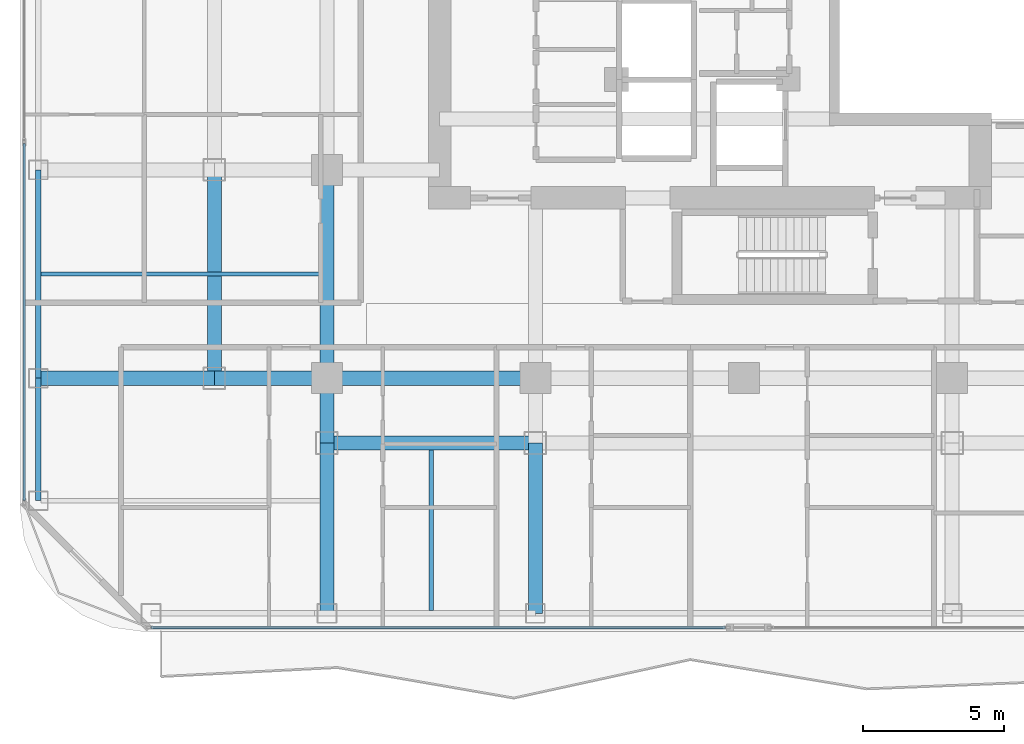
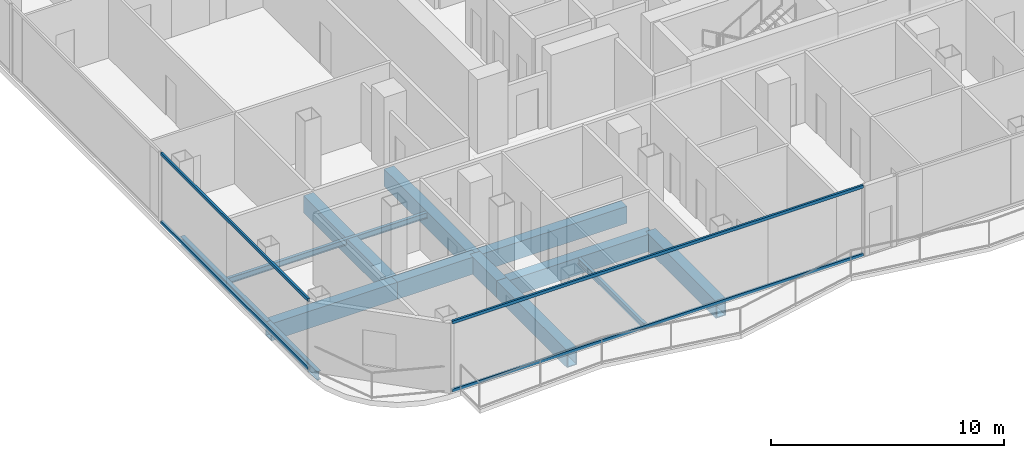
# One storey, part 3 of 27: 13 beams, 4 members, 2 elements without a shape of their own.
"""IFC4 building model written with IfcOpenShell, lengths in metres."""

from ifc_helpers import new_model, si_unit, direction, frame, origin, origin_2d, place, context, subcontext, project, spatial, hollow_rectangle, i_section, extrude, material, layer, layer_set, material_profile, profile_set, type_object, element, aggregate, save


model = new_model("IFC4")

# Units and contexts
model_context = context("Model", 3, precision=1e-05, world=origin(), true_north=direction((0.0, 1.0)))
body_context = subcontext(model_context, "Body", "Model", "MODEL_VIEW")
ifc_project = project(units=[si_unit("LENGTHUNIT", "METRE"), si_unit("AREAUNIT", "SQUARE_METRE"), si_unit("VOLUMEUNIT", "CUBIC_METRE"), si_unit("PLANEANGLEUNIT", "RADIAN"), si_unit("MASSUNIT", "GRAM", prefix="KILO")], contexts=[model_context])

# Site, building, storey
site_placement = place(None, origin())
site = spatial("IfcSite", under=ifc_project, at=site_placement, CompositionType="ELEMENT")
building_placement = place(site_placement, origin())
building = spatial("IfcBuilding", under=site, at=building_placement, Name="Khorvyn Point Tower", CompositionType="ELEMENT")
storey_placement = place(building_placement, frame((0.0, 0.0, 168.0)))
storey = spatial("IfcBuildingStorey", under=building, at=storey_placement, Name="L41", CompositionType="ELEMENT", Elevation=168.0)

# Curtain wall, members
ifc_material_1 = material(Name="Anodised aluminium 6063-T6 and laminated Low-E glass", Category="aluminium")
ifc_layer = layer(ifc_material_1, 0.18994140625)
ifc_layer_set = layer_set([ifc_layer], Name="Stick-Built Acoustic Curtain Wall CW-SYS-03")
curtain_wall_type = type_object("IfcCurtainWallType", Name="Stick-Built Acoustic Curtain Wall CW-SYS-03", PredefinedType="NOTDEFINED", material=ifc_layer_set)
curtain_wall_1_placement = place(storey_placement, origin())
curtain_wall_1 = element("IfcCurtainWall", 1, at=curtain_wall_1_placement, inside=storey, type_object=curtain_wall_type, Name="Curtain Wall", PredefinedType="NOTDEFINED")
ifc_material_2 = material(Name="Anodised aluminium 6063-T6", Category="aluminium")
ifc_material_profile_1 = material_profile(ifc_material_2, hollow_rectangle(XDim=0.10009765625, YDim=0.159912109375, WallThickness=0.00439453125, at=origin_2d()))
ifc_profile_set_1 = profile_set([ifc_material_profile_1], Name="Anodised aluminium 6063-T6 ALU-TRN-100x160")
member_type = type_object("IfcMemberType", Name="Anodised Aluminium 6063-T6 Transom ALU-TRN-100x160", PredefinedType="USERDEFINED", material=ifc_profile_set_1)
member_1_placement = place(storey_placement, frame((-0.64306640625, -23.64990234375, 0.050048828125), z_axis=(-1.0, 0.0, 0.0), x_axis=(0.0, -1.0, 0.0)))
member_1 = element("IfcMember", 2, at=member_1_placement, type_object=member_type, Name="Transom", ObjectType="TRANSOM", PredefinedType="USERDEFINED", context=body_context, shape_type="SweptSolid", body=[
    extrude(hollow_rectangle(XDim=0.10009765625, YDim=0.159912109375, WallThickness=0.00439453125, at=origin_2d()), origin(), (0.0, 0.0, 1.0), 20.406982421875),
])
member_2_placement = place(storey_placement, frame((-0.64306640625, -23.64990234375, 3.6298828125), z_axis=(-1.0, 0.0, 0.0), x_axis=(0.0, -1.0, 0.0)))
member_2 = element("IfcMember", 3, at=member_2_placement, type_object=member_type, Name="Transom", ObjectType="TRANSOM", PredefinedType="USERDEFINED", context=body_context, shape_type="SweptSolid", body=[
    extrude(hollow_rectangle(XDim=0.10009765625, YDim=0.159912109375, WallThickness=0.00439453125, at=origin_2d()), origin(), (0.0, 0.0, 1.0), 20.406982421875),
])
aggregate(curtain_wall_1, [member_1, member_2])

curtain_wall_2_placement = place(storey_placement, origin())
curtain_wall_2 = element("IfcCurtainWall", 4, at=curtain_wall_2_placement, inside=storey, type_object=curtain_wall_type, Name="Curtain Wall", PredefinedType="NOTDEFINED")
member_3_placement = place(storey_placement, frame((-25.550048828125, -19.14990234375, 0.050048828125), z_axis=(0.0, 1.0, 0.0), x_axis=(-1.0, 0.0, 0.0)))
member_3 = element("IfcMember", 5, at=member_3_placement, type_object=member_type, Name="Transom", ObjectType="TRANSOM", PredefinedType="USERDEFINED", context=body_context, shape_type="SweptSolid", body=[
    extrude(hollow_rectangle(XDim=0.10009765625, YDim=0.159912109375, WallThickness=0.00439453125, at=origin_2d()), origin(), (0.0, 0.0, 1.0), 12.683349609375),
])
member_4_placement = place(storey_placement, frame((-25.550048828125, -19.14990234375, 3.6298828125), z_axis=(0.0, 1.0, 0.0), x_axis=(-1.0, 0.0, 0.0)))
member_4 = element("IfcMember", 6, at=member_4_placement, type_object=member_type, Name="Transom", ObjectType="TRANSOM", PredefinedType="USERDEFINED", context=body_context, shape_type="SweptSolid", body=[
    extrude(hollow_rectangle(XDim=0.10009765625, YDim=0.159912109375, WallThickness=0.00439453125, at=origin_2d()), origin(), (0.0, 0.0, 1.0), 12.683349609375),
])
aggregate(curtain_wall_2, [member_3, member_4])

# Beams
ifc_material_3 = material(Name="Steel S355", Category="steel")
ifc_material_profile_2 = material_profile(ifc_material_3, i_section(OverallWidth=0.14990234375, OverallDepth=0.300048828125, WebThickness=0.006591796875, FlangeThickness=0.009033203125, at=origin_2d()))
ifc_profile_set_2 = profile_set([ifc_material_profile_2], Name="Steel S355 H300x150x6.5x9")
beam_type_1 = type_object("IfcBeamType", Name="Steel S355 Joist H300x150x6.5x9", PredefinedType="JOIST", material=ifc_profile_set_2)
beam_1_placement = place(storey_placement, frame((-24.949951171875, -11.10009765625, -0.429931640625), z_axis=(1.0, 0.0, 0.0), x_axis=(0.0, 1.0, 0.0)))
element("IfcBeam", 7, at=beam_1_placement, inside=storey, type_object=beam_type_1, Name="Beam", PredefinedType="JOIST", context=body_context, shape_type="SweptSolid", body=[
    extrude(i_section(OverallWidth=0.14990234375, OverallDepth=0.300048828125, WebThickness=0.006591796875, FlangeThickness=0.009033203125, at=origin_2d()), origin(), (0.0, 0.0, 1.0), 9.89990234375),
])
beam_2_placement = place(storey_placement, frame((-11.10009765625, -23.050048828125, -0.429931640625), z_axis=(0.0, 1.0, 0.0), x_axis=(-1.0, 0.0, 0.0)))
element("IfcBeam", 8, at=beam_2_placement, inside=storey, type_object=beam_type_1, Name="Beam", PredefinedType="JOIST", context=body_context, shape_type="SweptSolid", body=[
    extrude(i_section(OverallWidth=0.14990234375, OverallDepth=0.300048828125, WebThickness=0.006591796875, FlangeThickness=0.009033203125, at=origin_2d()), origin(), (0.0, 0.0, 1.0), 5.699951171875),
])
ifc_material_profile_3 = material_profile(ifc_material_3, i_section(OverallWidth=0.199951171875, OverallDepth=0.449951171875, WebThickness=0.009033203125, FlangeThickness=0.013916015625, at=origin_2d()))
ifc_profile_set_3 = profile_set([ifc_material_profile_3], Name="Steel S355 H450x200x9x14")
beam_type_2 = type_object("IfcBeamType", Name="Steel S355 Spandrel H450x200x9x14", PredefinedType="SPANDREL", material=ifc_profile_set_3)
beam_3_placement = place(storey_placement, frame((-25.050048828125, -19.14990234375, -0.5048828125), z_axis=(0.0, 1.0, 0.0), x_axis=(-1.0, 0.0, 0.0)))
element("IfcBeam", 9, at=beam_3_placement, inside=storey, type_object=beam_type_2, Name="Beam", PredefinedType="SPANDREL", context=body_context, shape_type="SweptSolid", body=[
    extrude(i_section(OverallWidth=0.199951171875, OverallDepth=0.449951171875, WebThickness=0.009033203125, FlangeThickness=0.013916015625, at=origin_2d()), origin(), (0.0, 0.0, 1.0), 4.349853515625),
])
beam_4_placement = place(storey_placement, frame((-25.050048828125, -14.800048828125, -0.5048828125), z_axis=(0.0, 1.0, 0.0), x_axis=(-1.0, 0.0, 0.0)))
element("IfcBeam", 10, at=beam_4_placement, inside=storey, type_object=beam_type_2, Name="Beam", PredefinedType="SPANDREL", context=body_context, shape_type="SweptSolid", body=[
    extrude(i_section(OverallWidth=0.199951171875, OverallDepth=0.449951171875, WebThickness=0.009033203125, FlangeThickness=0.013916015625, at=origin_2d()), origin(), (0.0, 0.0, 1.0), 7.400146484375),
])
ifc_material_4 = material(Name="Steel S450", Category="steel")
ifc_material_profile_4 = material_profile(ifc_material_4, hollow_rectangle(XDim=0.5, YDim=0.89990234375, WallThickness=0.0400390625, at=origin_2d()))
ifc_profile_set_4 = profile_set([ifc_material_profile_4], Name="Steel S450 BOX900x500x40")
beam_type_3 = type_object("IfcBeamType", Name="Steel S450 Beam BOX900x500x40", PredefinedType="BEAM", material=ifc_profile_set_4)
beam_5_placement = place(storey_placement, frame((-25.050048828125, -14.800048828125, -0.72998046875), z_axis=(1.0, 0.0, 0.0), x_axis=(0.0, 1.0, 0.0)))
element("IfcBeam", 11, at=beam_5_placement, inside=storey, type_object=beam_type_3, Name="L41 Radial Transfer Girder", PredefinedType="BEAM", context=body_context, shape_type="SweptSolid", body=[
    extrude(hollow_rectangle(XDim=0.5, YDim=0.89990234375, WallThickness=0.0400390625, at=origin_2d()), origin(), (0.0, 0.0, 1.0), 6.25),
])
beam_6_placement = place(storey_placement, frame((-18.800048828125, -14.800048828125, -0.72998046875), z_axis=(1.0, 0.0, 0.0), x_axis=(0.0, 1.0, 0.0)))
element("IfcBeam", 12, at=beam_6_placement, inside=storey, type_object=beam_type_3, Name="L41 Radial Transfer Girder", PredefinedType="BEAM", context=body_context, shape_type="SweptSolid", body=[
    extrude(hollow_rectangle(XDim=0.5, YDim=0.89990234375, WallThickness=0.0400390625, at=origin_2d()), origin(), (0.0, 0.0, 1.0), 4.0),
])
for number, where, z_axis, x_axis, name in (
    (13, (-14.800048828125, -14.800048828125, -0.72998046875), (1.0, 0.0, 0.0), (0.0, 1.0, 0.0), "L41 Radial Transfer Girder"),
    (14, (-14.800048828125, -17.10009765625, -0.72998046875), (1.0, 0.0, 0.0), (0.0, 1.0, 0.0), "Beam"),
):
    element("IfcBeam", number, at=place(storey_placement, frame(where, z_axis=z_axis, x_axis=x_axis)), inside=storey, type_object=beam_type_3, Name=name, PredefinedType="BEAM", context=body_context, shape_type="SweptSolid", body=[
        extrude(hollow_rectangle(XDim=0.5, YDim=0.89990234375, WallThickness=0.0400390625, at=origin_2d()), origin(), (0.0, 0.0, 1.0), 7.400146484375),
    ])
beam_7_placement = place(storey_placement, frame((-14.800048828125, -23.14990234375, -0.72998046875), z_axis=(0.0, 1.0, 0.0), x_axis=(-1.0, 0.0, 0.0)))
element("IfcBeam", 15, at=beam_7_placement, inside=storey, type_object=beam_type_3, Name="L41 Radial Transfer Girder", PredefinedType="BEAM", context=body_context, shape_type="SweptSolid", body=[
    extrude(hollow_rectangle(XDim=0.5, YDim=0.89990234375, WallThickness=0.0400390625, at=origin_2d()), origin(), (0.0, 0.0, 1.0), 6.0498046875),
])
beam_8_placement = place(storey_placement, frame((-14.800048828125, -17.10009765625, -0.72998046875), z_axis=(0.0, 1.0, 0.0), x_axis=(-1.0, 0.0, 0.0)))
element("IfcBeam", 16, at=beam_8_placement, inside=storey, type_object=beam_type_3, Name="L41 Radial Transfer Girder", PredefinedType="BEAM", context=body_context, shape_type="SweptSolid", body=[
    extrude(hollow_rectangle(XDim=0.5, YDim=0.89990234375, WallThickness=0.0400390625, at=origin_2d()), origin(), (0.0, 0.0, 1.0), 2.300048828125),
])
beam_9_placement = place(storey_placement, frame((-14.800048828125, -14.800048828125, -0.72998046875), z_axis=(0.0, 1.0, 0.0), x_axis=(-1.0, 0.0, 0.0)))
element("IfcBeam", 17, at=beam_9_placement, inside=storey, type_object=beam_type_3, Name="L41 Radial Transfer Girder", PredefinedType="BEAM", context=body_context, shape_type="SweptSolid", body=[
    extrude(hollow_rectangle(XDim=0.5, YDim=0.89990234375, WallThickness=0.0400390625, at=origin_2d()), origin(), (0.0, 0.0, 1.0), 7.400146484375),
])
beam_10_placement = place(storey_placement, frame((-7.39990234375, -23.14990234375, -0.72998046875), z_axis=(0.0, 1.0, 0.0), x_axis=(-1.0, 0.0, 0.0)))
element("IfcBeam", 18, at=beam_10_placement, inside=storey, type_object=beam_type_3, Name="Beam", PredefinedType="BEAM", context=body_context, shape_type="SweptSolid", body=[
    extrude(hollow_rectangle(XDim=0.5, YDim=0.89990234375, WallThickness=0.0400390625, at=origin_2d()), origin(), (0.0, 0.0, 1.0), 6.0498046875),
])
beam_11_placement = place(storey_placement, frame((-18.800048828125, -14.800048828125, -0.72998046875), z_axis=(0.0, 1.0, 0.0), x_axis=(-1.0, 0.0, 0.0)))
element("IfcBeam", 19, at=beam_11_placement, inside=storey, type_object=beam_type_3, Name="Beam", PredefinedType="BEAM", context=body_context, shape_type="SweptSolid", body=[
    extrude(hollow_rectangle(XDim=0.5, YDim=0.89990234375, WallThickness=0.0400390625, at=origin_2d()), origin(), (0.0, 0.0, 1.0), 7.400146484375),
])

save(model, "model.ifc")
